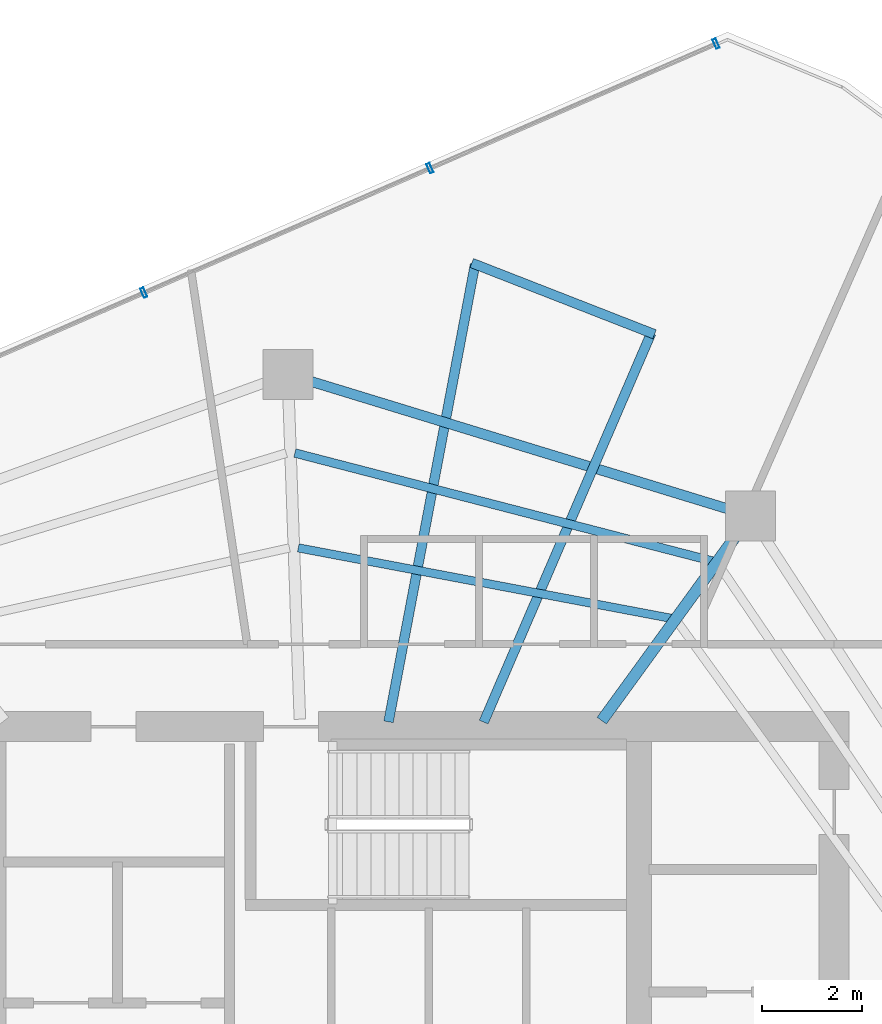
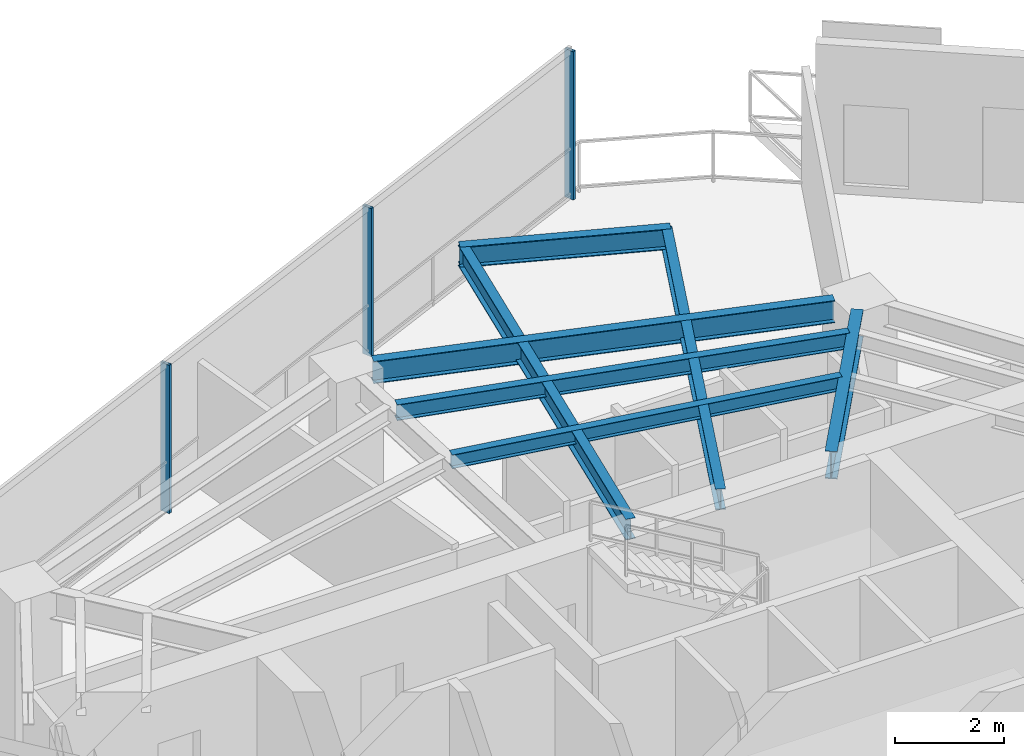
# One storey, part 15 of 22: 7 beams, 3 members, 1 element without a shape of its own.
"""IFC4 building model written with IfcOpenShell, lengths in metres."""

from ifc_helpers import new_model, si_unit, direction, frame, origin, origin_2d, place, context, subcontext, project, spatial, hollow_rectangle, i_section, extrude, material, layer, layer_set, material_profile, profile_set, type_object, element, aggregate, save


model = new_model("IFC4")

# Units and contexts
model_context = context("Model", 3, precision=1e-05, world=origin(), true_north=direction((0.0, 1.0)))
body_context = subcontext(model_context, "Body", "Model", "MODEL_VIEW")
ifc_project = project(units=[si_unit("LENGTHUNIT", "METRE"), si_unit("AREAUNIT", "SQUARE_METRE"), si_unit("VOLUMEUNIT", "CUBIC_METRE"), si_unit("PLANEANGLEUNIT", "RADIAN"), si_unit("MASSUNIT", "GRAM", prefix="KILO")], contexts=[model_context])

# Site, building, storey
site_placement = place(None, origin())
site = spatial("IfcSite", under=ifc_project, at=site_placement, CompositionType="ELEMENT")
building_placement = place(site_placement, origin())
building = spatial("IfcBuilding", under=site, at=building_placement, Name="Qarnah Convention Tower", CompositionType="ELEMENT")
storey_placement = place(building_placement, frame((0.0, 0.0, 154.5)))
storey = spatial("IfcBuildingStorey", under=building, at=storey_placement, Name="L41", CompositionType="ELEMENT", Elevation=154.5)

# Beams
ifc_material_1 = material(Name="Structural steel S355JR", Category="steel")
ifc_material_profile_1 = material_profile(ifc_material_1, i_section(OverallWidth=0.19189453125, OverallDepth=0.464111328125, WebThickness=0.010986328125, FlangeThickness=0.01806640625, at=origin_2d()), Name="W460X89")
ifc_profile_set_1 = profile_set([ifc_material_profile_1], Name="Structural steel S355JR")
beam_type_1 = type_object("IfcBeamType", Name="BM-CANT-W460A", PredefinedType="BEAM", material=ifc_profile_set_1)
beam_1_placement = place(storey_placement, frame((40.596923828125, 34.2919921875, 3.087890625), z_axis=(0.395464433699, 0.918481290871, 0.0), x_axis=(-0.918481290871, 0.395464433699, 0.0)))
element("IfcBeam", 1, at=beam_1_placement, inside=storey, type_object=beam_type_1, Name="L41 beam BM-L41-CNT-01-1", PredefinedType="BEAM", context=body_context, shape_type="SweptSolid", body=[
    extrude(i_section(OverallWidth=0.19189453125, OverallDepth=0.464111328125, WebThickness=0.010986328125, FlangeThickness=0.01806640625, at=origin_2d()), origin(), (0.0, 0.0, 1.0), 8.4638671875),
])
beam_2_placement = place(storey_placement, frame((38.695068359375, 34.298095703125, 3.087890625), z_axis=(0.185817043038, 0.982584361018, 0.0), x_axis=(-0.982584361018, 0.185817043038, 0.0)))
element("IfcBeam", 2, at=beam_2_placement, inside=storey, type_object=beam_type_1, Name="L41 beam BM-L41-CNT-01-2", PredefinedType="BEAM", context=body_context, shape_type="SweptSolid", body=[
    extrude(i_section(OverallWidth=0.19189453125, OverallDepth=0.464111328125, WebThickness=0.010986328125, FlangeThickness=0.01806640625, at=origin_2d()), origin(), (0.0, 0.0, 1.0), 9.304931640625),
])
beam_3_placement = place(storey_placement, frame((44.009033203125, 42.041015625, 3.087890625), z_axis=(-0.931525629959, 0.363675680695, 0.0), x_axis=(-0.363675680695, -0.931525629959, 0.0)))
element("IfcBeam", 3, at=beam_3_placement, inside=storey, type_object=beam_type_1, Name="L41 spandrel BM-L41-CTIE-01", PredefinedType="SPANDREL", context=body_context, shape_type="SweptSolid", body=[
    extrude(i_section(OverallWidth=0.19189453125, OverallDepth=0.464111328125, WebThickness=0.010986328125, FlangeThickness=0.01806640625, at=origin_2d()), origin(), (0.0, 0.0, 1.0), 3.91845703125),
])
ifc_material_profile_2 = material_profile(ifc_material_1, i_section(OverallWidth=0.166015625, OverallDepth=0.31201171875, WebThickness=0.007080078125, FlangeThickness=0.010986328125, at=origin_2d()), Name="W310X45")
ifc_profile_set_2 = profile_set([ifc_material_profile_2], Name="Structural steel S355JR")
beam_type_2 = type_object("IfcBeamType", Name="BM-JST-W310", PredefinedType="JOIST", material=ifc_profile_set_2)
beam_4_placement = place(storey_placement, frame((44.341064453125, 36.365966796875, 3.1640625), z_axis=(-0.982606152313, 0.185701775533, 0.0), x_axis=(-0.185701775533, -0.982606152313, 0.0)))
element("IfcBeam", 4, at=beam_4_placement, inside=storey, type_object=beam_type_2, Name="L41 joist BM-L41-IJST-02", PredefinedType="JOIST", context=body_context, shape_type="SweptSolid", body=[
    extrude(i_section(OverallWidth=0.166015625, OverallDepth=0.31201171875, WebThickness=0.007080078125, FlangeThickness=0.010986328125, at=origin_2d()), origin(), (0.0, 0.0, 1.0), 7.581787109375),
])
ifc_material_profile_3 = material_profile(ifc_material_1, i_section(OverallWidth=0.172119140625, OverallDepth=0.35595703125, WebThickness=0.007080078125, FlangeThickness=0.011962890625, at=origin_2d()), Name="W360X51")
ifc_profile_set_3 = profile_set([ifc_material_profile_3], Name="Structural steel S355JR")
beam_type_3 = type_object("IfcBeamType", Name="BM-JST-W360", PredefinedType="JOIST", material=ifc_profile_set_3)
beam_5_placement = place(storey_placement, frame((45.16796875, 37.510009765625, 3.14208984375), z_axis=(-0.968125718785, 0.250464753261, 0.0), x_axis=(-0.250464753261, -0.968125718785, 0.0)))
element("IfcBeam", 5, at=beam_5_placement, inside=storey, type_object=beam_type_3, Name="L41 joist BM-L41-SJST-02", PredefinedType="JOIST", context=body_context, shape_type="SweptSolid", body=[
    extrude(i_section(OverallWidth=0.172119140625, OverallDepth=0.35595703125, WebThickness=0.007080078125, FlangeThickness=0.011962890625, at=origin_2d()), origin(), (0.0, 0.0, 1.0), 8.61962890625),
])
ifc_material_profile_4 = material_profile(ifc_material_1, i_section(OverallWidth=0.22998046875, OverallDepth=0.617919921875, WebThickness=0.012939453125, FlangeThickness=0.02197265625, at=origin_2d()), Name="W610X140")
ifc_profile_set_4 = profile_set([ifc_material_profile_4], Name="Structural steel S355JR")
beam_type_4 = type_object("IfcBeamType", Name="BM-RAD-W610A", PredefinedType="BEAM", material=ifc_profile_set_4)
beam_6_placement = place(storey_placement, frame((42.955078125, 34.321044921875, 3.010986328125), z_axis=(0.58781027487, 0.808998813817, 0.0), x_axis=(-0.808998813817, 0.58781027487, 0.0)))
element("IfcBeam", 6, at=beam_6_placement, inside=storey, type_object=beam_type_4, Name="L41 beam BM-L41-RAD-02", PredefinedType="BEAM", context=body_context, shape_type="SweptSolid", body=[
    extrude(i_section(OverallWidth=0.22998046875, OverallDepth=0.617919921875, WebThickness=0.012939453125, FlangeThickness=0.02197265625, at=origin_2d()), origin(), (0.0, 0.0, 1.0), 4.57958984375),
])
ifc_material_profile_5 = material_profile(ifc_material_1, i_section(OverallWidth=0.199951171875, OverallDepth=0.5, WebThickness=0.010009765625, FlangeThickness=0.01611328125, at=origin_2d()), Name="IPE500")
ifc_profile_set_5 = profile_set([ifc_material_profile_5], Name="Structural steel S355JR")
beam_type_5 = type_object("IfcBeamType", Name="BM-SPN-IPE500", PredefinedType="SPANDREL", material=ifc_profile_set_5)
beam_7_placement = place(storey_placement, frame((45.4599609375, 38.556884765625, 3.070068359375), z_axis=(-0.956283054976, 0.292442676035, 0.0), x_axis=(-0.292442676035, -0.956283054976, 0.0)))
element("IfcBeam", 7, at=beam_7_placement, inside=storey, type_object=beam_type_5, Name="L41 spandrel BM-L41-SPN-02", PredefinedType="SPANDREL", context=body_context, shape_type="SweptSolid", body=[
    extrude(i_section(OverallWidth=0.199951171875, OverallDepth=0.5, WebThickness=0.010009765625, FlangeThickness=0.01611328125, at=origin_2d()), origin(), (0.0, 0.0, 1.0), 8.68896484375),
])

# Curtain wall, members
ifc_material_2 = material(Name="Tempered Low-E dark glass", Category="glass")
ifc_layer = layer(ifc_material_2, 0.172119140625)
ifc_layer_set = layer_set([ifc_layer], Name="Tempered Low-E dark glass")
curtain_wall_type = type_object("IfcCurtainWallType", Name="CWS-03", PredefinedType="NOTDEFINED", material=ifc_layer_set)
curtain_wall_placement = place(storey_placement, origin())
curtain_wall = element("IfcCurtainWall", 8, at=curtain_wall_placement, inside=storey, type_object=curtain_wall_type, Name="L41 unitised curtain wall CW-L41-F1", PredefinedType="NOTDEFINED")
ifc_material_3 = material(Name="Black anodised aluminium", Category="aluminium")
ifc_material_profile_6 = material_profile(ifc_material_3, hollow_rectangle(XDim=0.070068359375, YDim=0.199951171875, WallThickness=0.0048828125, at=origin_2d()), Name="MUL-70X200")
ifc_profile_set_6 = profile_set([ifc_material_profile_6], Name="Black anodised aluminium")
member_type = type_object("IfcMemberType", Name="MUL-T3", PredefinedType="MULLION", material=ifc_profile_set_6)
member_1_placement = place(storey_placement, frame((33.8046875, 42.87255859375, 0.0), z_axis=(0.0, 0.0, 1.0), x_axis=(0.916925676456, 0.399058020663, 0.0)))
member_1 = element("IfcMember", 9, at=member_1_placement, type_object=member_type, Name="CW-L41-F1 mullion 4", PredefinedType="MULLION", context=body_context, shape_type="SweptSolid", body=[
    extrude(hollow_rectangle(XDim=0.070068359375, YDim=0.199951171875, WallThickness=0.0048828125, at=origin_2d()), origin(), (0.0, 0.0, 1.0), 3.320068359375),
])
member_2_placement = place(storey_placement, frame((39.521728515625, 45.36083984375, 0.0), z_axis=(0.0, 0.0, 1.0), x_axis=(0.916925676456, 0.399058020663, 0.0)))
member_2 = element("IfcMember", 10, at=member_2_placement, type_object=member_type, Name="CW-L41-F1 mullion 5", PredefinedType="MULLION", context=body_context, shape_type="SweptSolid", body=[
    extrude(hollow_rectangle(XDim=0.070068359375, YDim=0.199951171875, WallThickness=0.0048828125, at=origin_2d()), origin(), (0.0, 0.0, 1.0), 3.320068359375),
])
member_3_placement = place(storey_placement, frame((45.239013671875, 47.84912109375, 0.0), z_axis=(0.0, 0.0, 1.0), x_axis=(0.916925676456, 0.399058020663, 0.0)))
member_3 = element("IfcMember", 11, at=member_3_placement, type_object=member_type, Name="CW-L41-F1 mullion 6", PredefinedType="MULLION", context=body_context, shape_type="SweptSolid", body=[
    extrude(hollow_rectangle(XDim=0.070068359375, YDim=0.199951171875, WallThickness=0.0048828125, at=origin_2d()), origin(), (0.0, 0.0, 1.0), 3.320068359375),
])
aggregate(curtain_wall, [member_1, member_2, member_3])

save(model, "model.ifc")
